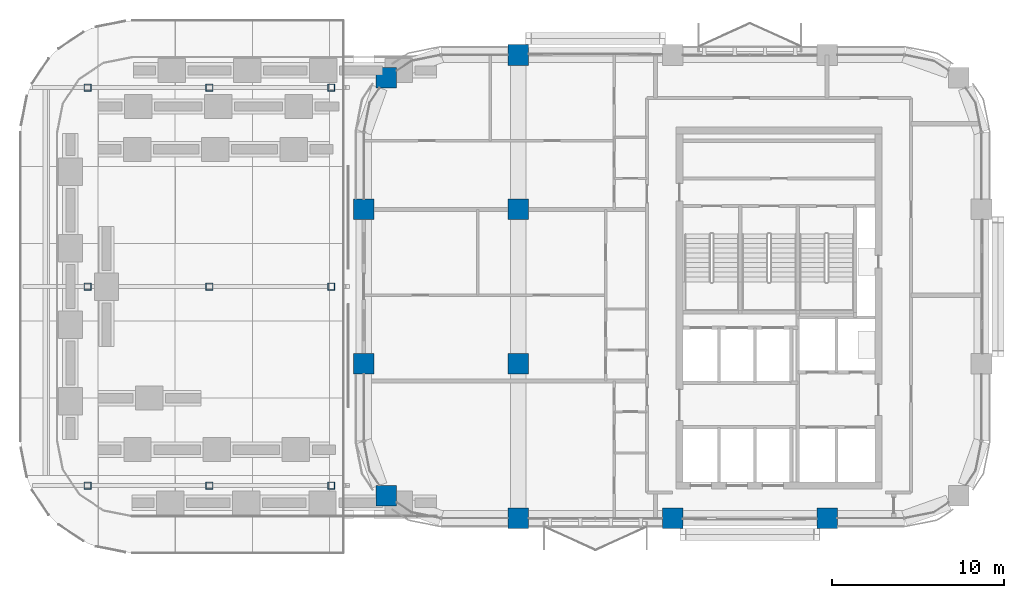
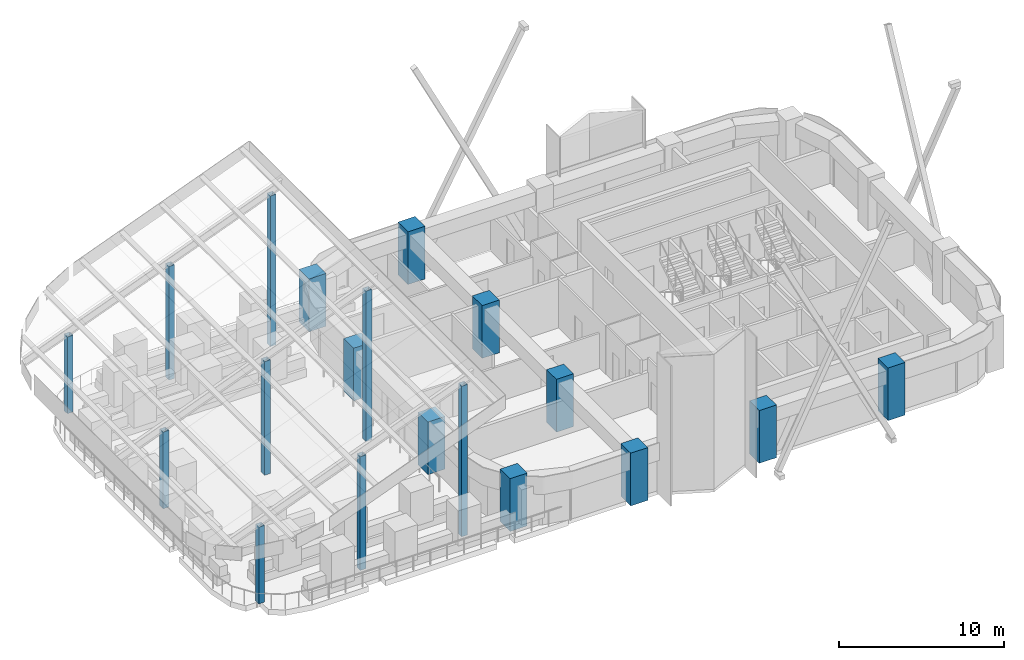
# One storey, part 1 of 13: 19 columns.
"""IFC4 building model written with IfcOpenShell, lengths in metres."""

from ifc_helpers import new_model, si_unit, direction, frame, origin, origin_2d, place, context, subcontext, project, spatial, rectangle, hollow_rectangle, extrude, material, material_profile, profile_set, type_object, element, save


model = new_model("IFC4")

# Units and contexts
model_context = context("Model", 3, precision=1e-05, world=origin(), true_north=direction((0.0, 1.0)))
body_context = subcontext(model_context, "Body", "Model", "MODEL_VIEW")
ifc_project = project(units=[si_unit("LENGTHUNIT", "METRE"), si_unit("AREAUNIT", "SQUARE_METRE"), si_unit("VOLUMEUNIT", "CUBIC_METRE"), si_unit("PLANEANGLEUNIT", "RADIAN"), si_unit("MASSUNIT", "GRAM", prefix="KILO")], contexts=[model_context])

# Site, building, storey
site_placement = place(None, origin())
site = spatial("IfcSite", under=ifc_project, at=site_placement, CompositionType="ELEMENT")
building_placement = place(site_placement, origin())
building = spatial("IfcBuilding", under=site, at=building_placement, Name="Tessera Arch", CompositionType="ELEMENT")
storey_placement = place(building_placement, frame((0.0, 0.0, 234.5)))
storey = spatial("IfcBuildingStorey", under=building, at=storey_placement, Name="L56", CompositionType="ELEMENT", Elevation=234.5)

# Columns
ifc_material_1 = material(Name="Steel A500 Gr C", Category="steel")
ifc_material_profile_1 = material_profile(ifc_material_1, hollow_rectangle(XDim=0.406494140625, YDim=0.406494140625, WallThickness=0.0146484375, at=origin_2d()), Name="HSS16x16x5/8")
ifc_profile_set_1 = profile_set([ifc_material_profile_1], Name="Steel A500 Gr C")
column_type_1 = type_object("IfcColumnType", Name="Crown column HSS16x16x5/8", PredefinedType="COLUMN", material=ifc_profile_set_1)
column_1_placement = place(storey_placement, frame((1.89990234375, 28.89990234375, 0.0), z_axis=(0.0, 0.0, 1.0), x_axis=(1.0, 0.0, 0.0)))
element("IfcColumn", 1, at=column_1_placement, inside=storey, type_object=column_type_1, Name="Crown column T2CC11", PredefinedType="COLUMN", context=body_context, shape_type="SweptSolid", body=[
    extrude(hollow_rectangle(XDim=0.406494140625, YDim=0.406494140625, WallThickness=0.0146484375, at=origin_2d()), origin(), (0.0, 0.0, 1.0), 5.680419921875),
])
column_2_placement = place(storey_placement, frame((9.0, 28.89990234375, 0.0), z_axis=(0.0, 0.0, 1.0), x_axis=(1.0, 0.0, 0.0)))
element("IfcColumn", 2, at=column_2_placement, inside=storey, type_object=column_type_1, Name="Crown column T2CC12", PredefinedType="COLUMN", context=body_context, shape_type="SweptSolid", body=[
    extrude(hollow_rectangle(XDim=0.406494140625, YDim=0.406494140625, WallThickness=0.0146484375, at=origin_2d()), origin(), (0.0, 0.0, 1.0), 8.406005859375),
])
column_3_placement = place(storey_placement, frame((16.10009765625, 28.89990234375, 0.0), z_axis=(0.0, 0.0, 1.0), x_axis=(1.0, 0.0, 0.0)))
element("IfcColumn", 3, at=column_3_placement, inside=storey, type_object=column_type_1, Name="Crown column T2CC13", PredefinedType="COLUMN", context=body_context, shape_type="SweptSolid", body=[
    extrude(hollow_rectangle(XDim=0.406494140625, YDim=0.406494140625, WallThickness=0.0146484375, at=origin_2d()), origin(), (0.0, 0.0, 1.0), 11.13134765625),
])
column_4_placement = place(storey_placement, frame((1.89990234375, 40.5, 0.0), z_axis=(0.0, 0.0, 1.0), x_axis=(1.0, 0.0, 0.0)))
element("IfcColumn", 4, at=column_4_placement, inside=storey, type_object=column_type_1, Name="Crown column T2CC21", PredefinedType="COLUMN", context=body_context, shape_type="SweptSolid", body=[
    extrude(hollow_rectangle(XDim=0.406494140625, YDim=0.406494140625, WallThickness=0.0146484375, at=origin_2d()), origin(), (0.0, 0.0, 1.0), 5.680419921875),
])
column_5_placement = place(storey_placement, frame((9.0, 40.5, 0.0), z_axis=(0.0, 0.0, 1.0), x_axis=(1.0, 0.0, 0.0)))
element("IfcColumn", 5, at=column_5_placement, inside=storey, type_object=column_type_1, Name="Crown column T2CC22", PredefinedType="COLUMN", context=body_context, shape_type="SweptSolid", body=[
    extrude(hollow_rectangle(XDim=0.406494140625, YDim=0.406494140625, WallThickness=0.0146484375, at=origin_2d()), origin(), (0.0, 0.0, 1.0), 8.406005859375),
])
column_6_placement = place(storey_placement, frame((16.10009765625, 40.5, 0.0), z_axis=(0.0, 0.0, 1.0), x_axis=(1.0, 0.0, 0.0)))
element("IfcColumn", 6, at=column_6_placement, inside=storey, type_object=column_type_1, Name="Crown column T2CC23", PredefinedType="COLUMN", context=body_context, shape_type="SweptSolid", body=[
    extrude(hollow_rectangle(XDim=0.406494140625, YDim=0.406494140625, WallThickness=0.0146484375, at=origin_2d()), origin(), (0.0, 0.0, 1.0), 11.13134765625),
])
column_7_placement = place(storey_placement, frame((1.89990234375, 52.10009765625, 0.0), z_axis=(0.0, 0.0, 1.0), x_axis=(1.0, 0.0, 0.0)))
element("IfcColumn", 7, at=column_7_placement, inside=storey, type_object=column_type_1, Name="Crown column T2CC31", PredefinedType="COLUMN", context=body_context, shape_type="SweptSolid", body=[
    extrude(hollow_rectangle(XDim=0.406494140625, YDim=0.406494140625, WallThickness=0.0146484375, at=origin_2d()), origin(), (0.0, 0.0, 1.0), 5.680419921875),
])
column_8_placement = place(storey_placement, frame((9.0, 52.10009765625, 0.0), z_axis=(0.0, 0.0, 1.0), x_axis=(1.0, 0.0, 0.0)))
element("IfcColumn", 8, at=column_8_placement, inside=storey, type_object=column_type_1, Name="Crown column T2CC32", PredefinedType="COLUMN", context=body_context, shape_type="SweptSolid", body=[
    extrude(hollow_rectangle(XDim=0.406494140625, YDim=0.406494140625, WallThickness=0.0146484375, at=origin_2d()), origin(), (0.0, 0.0, 1.0), 8.406005859375),
])
column_9_placement = place(storey_placement, frame((16.10009765625, 52.10009765625, 0.0), z_axis=(0.0, 0.0, 1.0), x_axis=(1.0, 0.0, 0.0)))
element("IfcColumn", 9, at=column_9_placement, inside=storey, type_object=column_type_1, Name="Crown column T2CC33", PredefinedType="COLUMN", context=body_context, shape_type="SweptSolid", body=[
    extrude(hollow_rectangle(XDim=0.406494140625, YDim=0.406494140625, WallThickness=0.0146484375, at=origin_2d()), origin(), (0.0, 0.0, 1.0), 11.13134765625),
])
ifc_material_2 = material(Name="Concrete C60/75", Category="concrete")
ifc_material_profile_2 = material_profile(ifc_material_2, rectangle(XDim=1.199951171875, YDim=1.199951171875, at=origin_2d()), Name="RC column 1200 x 1200 Concrete C60/75")
ifc_profile_set_2 = profile_set([ifc_material_profile_2], Name="Concrete C60/75")
column_type_2 = type_object("IfcColumnType", Name="RC column 1200 x 1200 Concrete C60/75", PredefinedType="COLUMN", material=ifc_profile_set_2)
for number, where, z_axis, x_axis, name in (
    (10, (19.318115234375, 28.318115234375, 0.0), (0.0, 0.0, 1.0), (1.0, 0.0, 0.0), "Column C3D L56"),
    (11, (18.0, 36.0, 0.0), (0.0, 0.0, 1.0), (1.0, 0.0, 0.0), "Column C3E L56"),
    (12, (18.0, 45.0, 0.0), (0.0, 0.0, 1.0), (1.0, 0.0, 0.0), "Column C3F L56"),
    (13, (19.318115234375, 52.681884765625, 0.0), (0.0, 0.0, 1.0), (1.0, 0.0, 0.0), "Column C3G L56"),
    (14, (27.0, 27.0, 0.0), (0.0, 0.0, 1.0), (1.0, 0.0, 0.0), "Column C4D L56"),
    (15, (27.0, 36.0, 0.0), (0.0, 0.0, 1.0), (1.0, 0.0, 0.0), "Column C4E L56"),
    (16, (27.0, 45.0, 0.0), (0.0, 0.0, 1.0), (1.0, 0.0, 0.0), "Column C4F L56"),
    (17, (27.0, 54.0, 0.0), (0.0, 0.0, 1.0), (1.0, 0.0, 0.0), "Column C4G L56"),
    (18, (36.0, 27.0, 0.0), (0.0, 0.0, 1.0), (1.0, 0.0, 0.0), "Column C5D L56"),
    (19, (45.0, 27.0, 0.0), (0.0, 0.0, 1.0), (1.0, 0.0, 0.0), "Column C6D L56"),
):
    element("IfcColumn", number, at=place(storey_placement, frame(where, z_axis=z_axis, x_axis=x_axis)), inside=storey, type_object=column_type_2, Name=name, PredefinedType="COLUMN", context=body_context, shape_type="SweptSolid", body=[
        extrude(rectangle(XDim=1.199951171875, YDim=1.199951171875, at=origin_2d()), origin(), (0.0, 0.0, 1.0), 3.89990234375),
    ])

save(model, "model.ifc")
